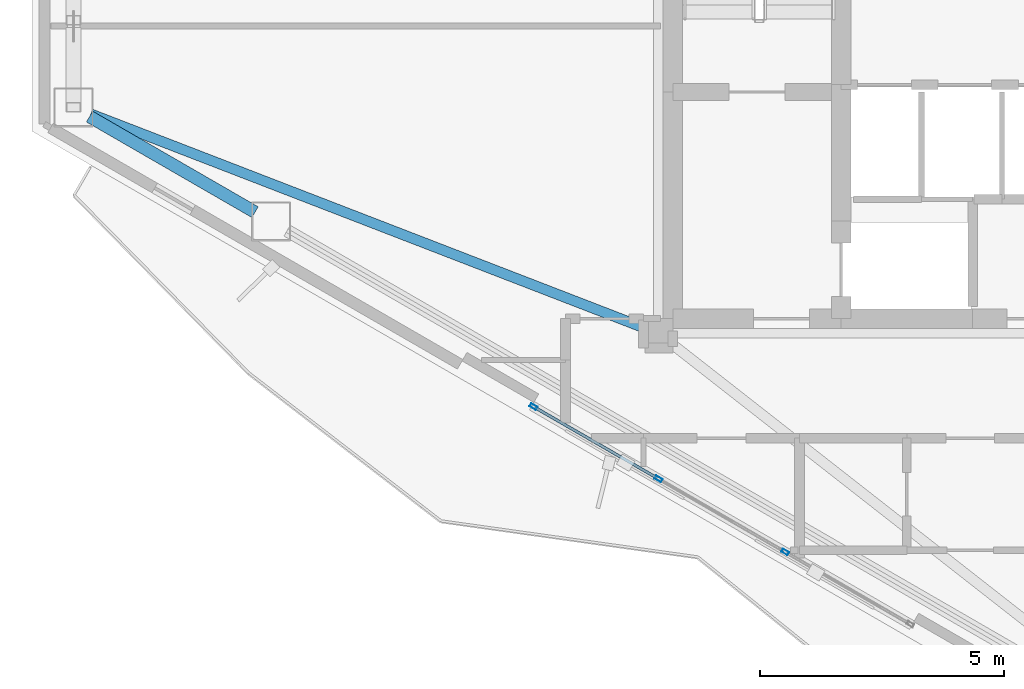
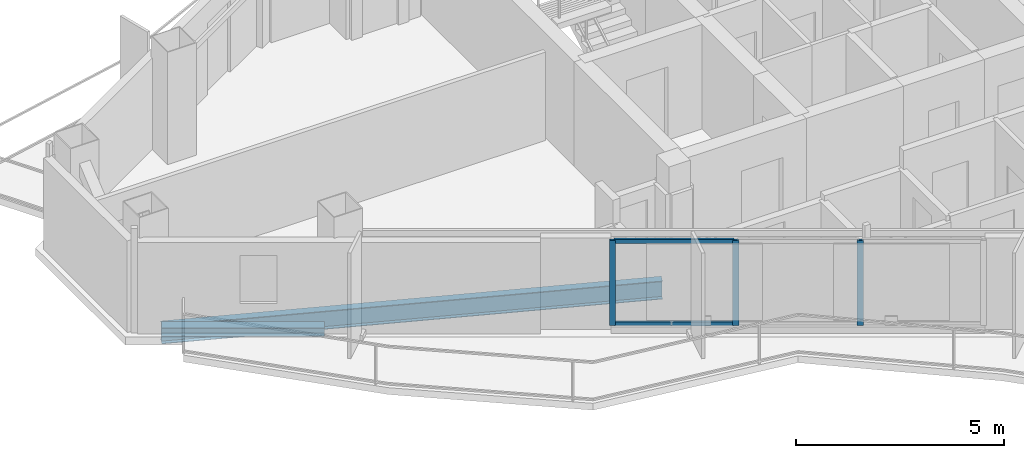
# One storey, part 2 of 22: 5 members, 2 beams, 1 element without a shape of its own.
"""IFC4 building model written with IfcOpenShell, lengths in metres."""

from ifc_helpers import new_model, si_unit, direction, frame, origin, origin_2d, place, context, subcontext, project, spatial, hollow_rectangle, i_section, extrude, material, layer, layer_set, material_profile, profile_set, type_object, element, aggregate, save


model = new_model("IFC4")

# Units and contexts
model_context = context("Model", 3, precision=1e-05, world=origin(), true_north=direction((0.0, 1.0)))
body_context = subcontext(model_context, "Body", "Model", "MODEL_VIEW")
ifc_project = project(units=[si_unit("LENGTHUNIT", "METRE"), si_unit("AREAUNIT", "SQUARE_METRE"), si_unit("VOLUMEUNIT", "CUBIC_METRE"), si_unit("PLANEANGLEUNIT", "RADIAN"), si_unit("MASSUNIT", "GRAM", prefix="KILO")], contexts=[model_context])

# Site, building, storey
site_placement = place(None, origin())
site = spatial("IfcSite", under=ifc_project, at=site_placement, CompositionType="ELEMENT")
building_placement = place(site_placement, origin())
building = spatial("IfcBuilding", under=site, at=building_placement, Name="Mersakhor Tower and Convention Hall", CompositionType="ELEMENT")
storey_placement = place(building_placement, frame((0.0, 0.0, 208.5)))
storey = spatial("IfcBuildingStorey", under=building, at=storey_placement, Name="L58", CompositionType="ELEMENT", Elevation=208.5)

# Beams
ifc_material_1 = material(Name="Steel S355", Category="steel")
ifc_material_profile_1 = material_profile(ifc_material_1, i_section(OverallWidth=0.2099609375, OverallDepth=0.53662109375, WebThickness=0.0107421875, FlangeThickness=0.017333984375, at=origin_2d()), Name="UB 533x210x101")
ifc_profile_set_1 = profile_set([ifc_material_profile_1], Name="Steel S355")
beam_type_1 = type_object("IfcBeamType", Name="BM-FB-533", PredefinedType="BEAM", material=ifc_profile_set_1)
beam_1_placement = place(storey_placement, frame((21.638916015625, 20.55078125, -0.498291015625), z_axis=(-0.932761425449, 0.36049427623, 0.0), x_axis=(-0.36049427623, -0.932761425449, 0.0)))
element("IfcBeam", 1, at=beam_1_placement, inside=storey, type_object=beam_type_1, Name="L58 Primary Floor Girder FG-6", PredefinedType="BEAM", context=body_context, shape_type="SweptSolid", body=[
    extrude(i_section(OverallWidth=0.2099609375, OverallDepth=0.53662109375, WebThickness=0.0107421875, FlangeThickness=0.017333984375, at=origin_2d()), origin(), (0.0, 0.0, 1.0), 12.197021484375),
])
ifc_material_2 = material(Name="Steel S355", Category="steel")
ifc_material_profile_2 = material_profile(ifc_material_2, i_section(OverallWidth=0.25634765625, OverallDepth=0.26025390625, WebThickness=0.01025390625, FlangeThickness=0.017333984375, at=origin_2d()), Name="UC 254x254x89")
ifc_profile_set_2 = profile_set([ifc_material_profile_2], Name="Steel S355")
beam_type_2 = type_object("IfcBeamType", Name="BM-SPD-UC254", PredefinedType="SPANDREL", material=ifc_profile_set_2)
beam_2_placement = place(storey_placement, frame((13.630615234375, 22.93505859375, -0.360107421875), z_axis=(-0.866007153761, 0.500031608635, 0.0), x_axis=(-0.500031608635, -0.866007153761, 0.0)))
element("IfcBeam", 2, at=beam_2_placement, inside=storey, type_object=beam_type_2, Name="L58 Perimeter Spandrel Beam SPB-11", PredefinedType="SPANDREL", context=body_context, shape_type="SweptSolid", body=[
    extrude(i_section(OverallWidth=0.25634765625, OverallDepth=0.26025390625, WebThickness=0.01025390625, FlangeThickness=0.017333984375, at=origin_2d()), origin(), (0.0, 0.0, 1.0), 3.919189453125),
])

# Curtain wall, members
ifc_material_3 = material(Name="Dark solar low-E aluminium curtain wall", Category="aluminium")
ifc_layer = layer(ifc_material_3, 0.169921875)
ifc_layer_set = layer_set([ifc_layer], Name="Dark solar low-E aluminium curtain wall")
curtain_wall_type = type_object("IfcCurtainWallType", Name="CW-SYS-02", PredefinedType="USERDEFINED", material=ifc_layer_set)
curtain_wall_placement = place(storey_placement, origin())
curtain_wall = element("IfcCurtainWall", 3, at=curtain_wall_placement, inside=storey, type_object=curtain_wall_type, Name="L58 Dark-Glass Curtain Wall F3-B2", ObjectType="CURTAIN WALL", PredefinedType="USERDEFINED")
ifc_material_4 = material(Name="Anodised aluminium EN AW-6063 T6", Category="aluminium")
ifc_material_profile_3 = material_profile(ifc_material_4, hollow_rectangle(XDim=0.074951171875, YDim=0.14990234375, WallThickness=0.00634765625, at=origin_2d()), Name="RHS 150x75x6.3")
ifc_profile_set_3 = profile_set([ifc_material_profile_3], Name="Anodised aluminium EN AW-6063 T6")
member_type_1 = type_object("IfcMemberType", Name="CWM-150x75", PredefinedType="MULLION", material=ifc_profile_set_3)
member_1_placement = place(storey_placement, frame((24.504638671875, 15.964111328125, 0.199951171875), z_axis=(0.0, 0.0, 1.0), x_axis=(-0.500007824483, -0.86602088627, 0.0)))
member_1 = element("IfcMember", 4, at=member_1_placement, type_object=member_type_1, Name="CW-02 mullion 2", PredefinedType="MULLION", context=body_context, shape_type="SweptSolid", body=[
    extrude(hollow_rectangle(XDim=0.074951171875, YDim=0.14990234375, WallThickness=0.00634765625, at=origin_2d()), origin(), (0.0, 0.0, 1.0), 2.489990234375),
])
member_2_placement = place(storey_placement, frame((21.906982421875, 17.464111328125, 0.199951171875), z_axis=(0.0, 0.0, 1.0), x_axis=(-0.500007824483, -0.86602088627, 0.0)))
member_2 = element("IfcMember", 5, at=member_2_placement, type_object=member_type_1, Name="CW-02 mullion 3", PredefinedType="MULLION", context=body_context, shape_type="SweptSolid", body=[
    extrude(hollow_rectangle(XDim=0.074951171875, YDim=0.14990234375, WallThickness=0.00634765625, at=origin_2d()), origin(), (0.0, 0.0, 1.0), 2.489990234375),
])
member_3_placement = place(storey_placement, frame((19.341796875, 18.945068359375, 0.199951171875), z_axis=(0.0, 0.0, 1.0), x_axis=(-0.500007824483, -0.86602088627, 0.0)))
member_3 = element("IfcMember", 6, at=member_3_placement, type_object=member_type_1, Name="CW-02 mullion 4", PredefinedType="MULLION", context=body_context, shape_type="SweptSolid", body=[
    extrude(hollow_rectangle(XDim=0.074951171875, YDim=0.14990234375, WallThickness=0.00634765625, at=origin_2d()), origin(), (0.0, 0.0, 1.0), 2.489990234375),
])
ifc_material_5 = material(Name="Anodised aluminium EN AW-6063 T6", Category="aluminium")
ifc_material_profile_4 = material_profile(ifc_material_5, hollow_rectangle(XDim=0.06005859375, YDim=0.1201171875, WallThickness=0.0048828125, at=origin_2d()), Name="RHS 120x60x5")
ifc_profile_set_4 = profile_set([ifc_material_profile_4], Name="Anodised aluminium EN AW-6063 T6")
member_type_2 = type_object("IfcMemberType", Name="CWT-120x60", PredefinedType="USERDEFINED", material=ifc_profile_set_4)
member_4_placement = place(storey_placement, frame((21.87451171875, 17.48291015625, 0.22998046875), z_axis=(-0.86601237176, 0.50002257145, 0.0), x_axis=(-0.50002257145, -0.86601237176, 0.0)))
member_4 = element("IfcMember", 7, at=member_4_placement, type_object=member_type_2, Name="CW-02 transom 3.1", ObjectType="TRANSOM", PredefinedType="USERDEFINED", context=body_context, shape_type="SweptSolid", body=[
    extrude(hollow_rectangle(XDim=0.06005859375, YDim=0.1201171875, WallThickness=0.0048828125, at=origin_2d()), origin(), (0.0, 0.0, 1.0), 2.886962890625),
])
member_5_placement = place(storey_placement, frame((21.87451171875, 17.48291015625, 2.659912109375), z_axis=(-0.86601237176, 0.50002257145, 0.0), x_axis=(-0.50002257145, -0.86601237176, 0.0)))
member_5 = element("IfcMember", 8, at=member_5_placement, type_object=member_type_2, Name="CW-02 transom 3.2", ObjectType="TRANSOM", PredefinedType="USERDEFINED", context=body_context, shape_type="SweptSolid", body=[
    extrude(hollow_rectangle(XDim=0.06005859375, YDim=0.1201171875, WallThickness=0.0048828125, at=origin_2d()), origin(), (0.0, 0.0, 1.0), 2.886962890625),
])
aggregate(curtain_wall, [member_1, member_2, member_3, member_4, member_5])

save(model, "model.ifc")
